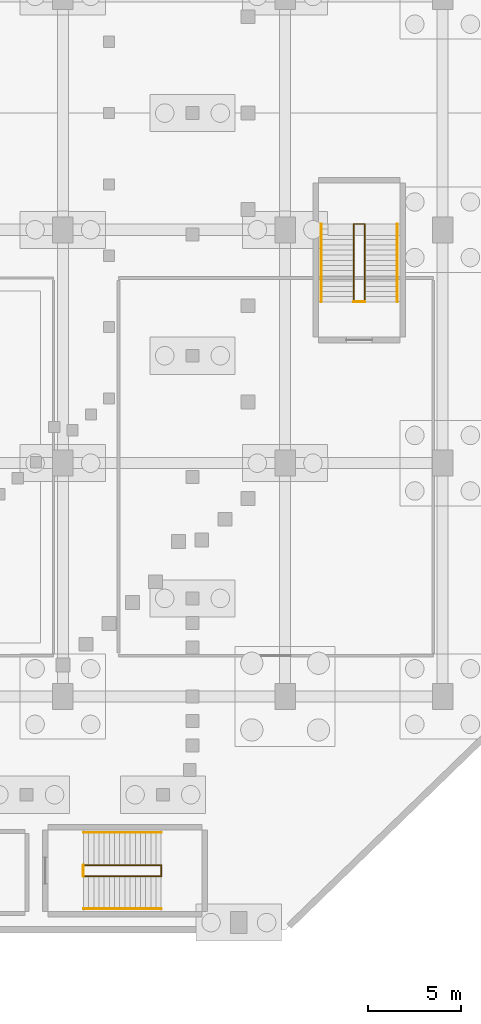
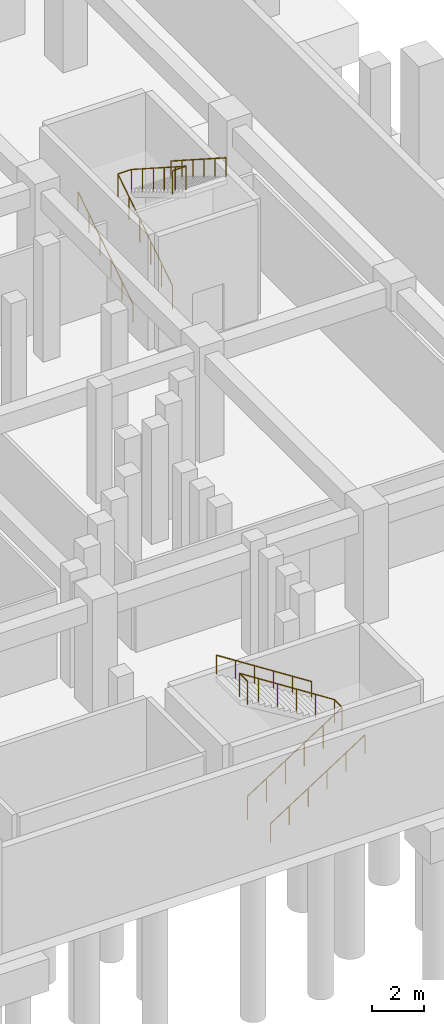
# One storey, part 22 of 27: 8 railings.
"""IFC4 building model written with IfcOpenShell, lengths in metres."""

from ifc_helpers import new_model, si_unit, derived_unit, direction, frame, origin, origin_2d, place, context, subcontext, project, spatial, circle, extrude, material, type_object, element, save


model = new_model("IFC4")

# Units and contexts
model_context = context("Model", 3, precision=1e-05, world=origin(), true_north=direction((0.0, 1.0)))
body_context = subcontext(model_context, "Body", "Model", "MODEL_VIEW")
ifc_project = project(units=[si_unit("LENGTHUNIT", "METRE"), si_unit("AREAUNIT", "SQUARE_METRE"), si_unit("VOLUMEUNIT", "CUBIC_METRE"), si_unit("PLANEANGLEUNIT", "RADIAN"), si_unit("MASSUNIT", "GRAM", prefix="KILO"), derived_unit("THERMALTRANSMITTANCEUNIT", [(si_unit("MASSUNIT", "GRAM", prefix="KILO"), 1), (si_unit("TIMEUNIT", "SECOND"), -3), (si_unit("THERMODYNAMICTEMPERATUREUNIT", "KELVIN"), -1)])], contexts=[model_context])

# Site, building, storey
site_placement = place(None, origin())
site = spatial("IfcSite", under=ifc_project, at=site_placement, CompositionType="ELEMENT")
building_placement = place(site_placement, origin())
building = spatial("IfcBuilding", under=site, at=building_placement, Name="Valcora Ridge Arena", CompositionType="ELEMENT")
storey_placement = place(building_placement, frame((0.0, 0.0, -5.39990234375)))
storey = spatial("IfcBuildingStorey", under=building, at=storey_placement, Name="B1", CompositionType="ELEMENT", Elevation=-5.39990234375)

# Railings
ifc_material = material(Name="Galvanized painted steel ASTM A500 Grade B", Category="steel")
railing_type_1 = type_object("IfcRailingType", Name="TY-RAILING-GRD-STAIR-1120", PredefinedType="GUARDRAIL", material=ifc_material)
railing_1_placement = place(storey_placement, frame((83.110107421875, 22.89990234375, 0.0)))
element("IfcRailing", 1, at=railing_1_placement, inside=storey, type_object=railing_type_1, Name="GRD-STAIR-1120 RAL-SG-0013", PredefinedType="GUARDRAIL", context=body_context, shape_type="SweptSolid", body=[
    extrude(circle(Radius=0.02392578125, at=origin_2d()), frame((0.0, 0.0, 1.09619140625), z_axis=(0.841180064094, 0.0, 0.540755119968), x_axis=(0.0, 1.0, 0.0)), (0.0, 0.0, 1.0), 4.992919921875),
    extrude(circle(Radius=0.02392578125, at=origin_2d()), frame((4.199951171875, 0.0, 3.7958984375), z_axis=(0.0, 1.0, 0.0), x_axis=(-1.0, 0.0, 0.0)), (0.0, 0.0, 1.0), 0.60009765625),
    extrude(circle(Radius=0.02392578125, at=origin_2d()), frame((4.199951171875, 0.60009765625, 3.7958984375), z_axis=(-0.841180064094, 0.0, 0.540755119968), x_axis=(0.0, -1.0, 0.0)), (0.0, 0.0, 1.0), 4.992919921875),
    extrude(circle(Radius=0.02099609375, at=origin_2d()), origin(), (0.0, 0.0, 1.0), 1.072021484375),
    extrude(circle(Radius=0.02099609375, at=origin_2d()), frame((0.840087890625, 0.0, 0.5400390625)), (0.0, 0.0, 1.0), 1.072021484375),
    extrude(circle(Radius=0.02099609375, at=origin_2d()), frame((1.679931640625, 0.0, 1.080078125)), (0.0, 0.0, 1.0), 1.072021484375),
    extrude(circle(Radius=0.02099609375, at=origin_2d()), frame((2.52001953125, 0.0, 1.619873046875)), (0.0, 0.0, 1.0), 1.072021484375),
    extrude(circle(Radius=0.02099609375, at=origin_2d()), frame((3.35986328125, 0.0, 2.159912109375)), (0.0, 0.0, 1.0), 1.072021484375),
    extrude(circle(Radius=0.02099609375, at=origin_2d()), frame((4.199951171875, 0.0, 2.699951171875)), (0.0, 0.0, 1.0), 1.072021484375),
    extrude(circle(Radius=0.02099609375, at=origin_2d()), frame((4.199951171875, 0.60009765625, 2.699951171875)), (0.0, 0.0, 1.0), 1.072021484375),
    extrude(circle(Radius=0.02099609375, at=origin_2d()), frame((3.35986328125, 0.60009765625, 3.239990234375)), (0.0, 0.0, 1.0), 1.072021484375),
    extrude(circle(Radius=0.02099609375, at=origin_2d()), frame((2.52001953125, 0.60009765625, 3.780029296875)), (0.0, 0.0, 1.0), 1.072021484375),
    extrude(circle(Radius=0.02099609375, at=origin_2d()), frame((1.679931640625, 0.60009765625, 4.31982421875)), (0.0, 0.0, 1.0), 1.072021484375),
    extrude(circle(Radius=0.02099609375, at=origin_2d()), frame((0.840087890625, 0.60009765625, 4.85986328125)), (0.0, 0.0, 1.0), 1.072021484375),
    extrude(circle(Radius=0.02099609375, at=origin_2d()), frame((0.0, 0.60009765625, 5.39990234375)), (0.0, 0.0, 1.0), 1.072021484375),
])
railing_2_placement = place(storey_placement, frame((83.110107421875, 22.89990234375, 5.39990234375)))
element("IfcRailing", 2, at=railing_2_placement, inside=storey, type_object=railing_type_1, Name="GRD-STAIR-1120 RAL-SG-0014", PredefinedType="GUARDRAIL", context=body_context, shape_type="SweptSolid", body=[
    extrude(circle(Radius=0.02392578125, at=origin_2d()), frame((0.0, 0.0, 1.09619140625), z_axis=(0.0, 1.0, 0.0), x_axis=(-1.0, 0.0, 0.0)), (0.0, 0.0, 1.0), 0.60009765625),
    extrude(circle(Radius=0.02099609375, at=origin_2d()), origin(), (0.0, 0.0, 1.0), 1.072021484375),
    extrude(circle(Radius=0.02099609375, at=origin_2d()), frame((0.0, 0.60009765625, 0.0)), (0.0, 0.0, 1.0), 1.072021484375),
])
railing_3_placement = place(storey_placement, frame((97.699951171875, 53.909912109375, 0.0)))
element("IfcRailing", 3, at=railing_3_placement, inside=storey, type_object=railing_type_1, Name="GRD-STAIR-1120 RAL-SG-0057", PredefinedType="GUARDRAIL", context=body_context, shape_type="SweptSolid", body=[
    extrude(circle(Radius=0.02392578125, at=origin_2d()), frame((0.0, 0.0, 1.09619140625), z_axis=(0.0, 0.841194361566, 0.540732878665), x_axis=(-1.0, 0.0, 0.0)), (0.0, 0.0, 1.0), 4.9931640625),
    extrude(circle(Radius=0.02392578125, at=origin_2d()), frame((0.0, 4.2001953125, 3.7958984375), z_axis=(1.0, 0.0, 0.0), x_axis=(0.0, 1.0, 0.0)), (0.0, 0.0, 1.0), 0.60009765625),
    extrude(circle(Radius=0.02392578125, at=origin_2d()), frame((0.60009765625, 4.2001953125, 3.7958984375), z_axis=(0.0, -0.841194361566, 0.540732878665), x_axis=(1.0, 0.0, 0.0)), (0.0, 0.0, 1.0), 4.9931640625),
    extrude(circle(Radius=0.02099609375, at=origin_2d()), origin(), (0.0, 0.0, 1.0), 1.072021484375),
    extrude(circle(Radius=0.02099609375, at=origin_2d()), frame((0.0, 0.840087890625, 0.5400390625)), (0.0, 0.0, 1.0), 1.072021484375),
    extrude(circle(Radius=0.02099609375, at=origin_2d()), frame((0.0, 1.68017578125, 1.080078125)), (0.0, 0.0, 1.0), 1.072021484375),
    extrude(circle(Radius=0.02099609375, at=origin_2d()), frame((0.0, 2.52001953125, 1.619873046875)), (0.0, 0.0, 1.0), 1.072021484375),
    extrude(circle(Radius=0.02099609375, at=origin_2d()), frame((0.0, 3.360107421875, 2.159912109375)), (0.0, 0.0, 1.0), 1.072021484375),
    extrude(circle(Radius=0.02099609375, at=origin_2d()), frame((0.0, 4.2001953125, 2.699951171875)), (0.0, 0.0, 1.0), 1.072021484375),
    extrude(circle(Radius=0.02099609375, at=origin_2d()), frame((0.60009765625, 4.2001953125, 2.699951171875)), (0.0, 0.0, 1.0), 1.072021484375),
    extrude(circle(Radius=0.02099609375, at=origin_2d()), frame((0.60009765625, 3.360107421875, 3.239990234375)), (0.0, 0.0, 1.0), 1.072021484375),
    extrude(circle(Radius=0.02099609375, at=origin_2d()), frame((0.60009765625, 2.52001953125, 3.780029296875)), (0.0, 0.0, 1.0), 1.072021484375),
    extrude(circle(Radius=0.02099609375, at=origin_2d()), frame((0.60009765625, 1.68017578125, 4.31982421875)), (0.0, 0.0, 1.0), 1.072021484375),
    extrude(circle(Radius=0.02099609375, at=origin_2d()), frame((0.60009765625, 0.840087890625, 4.85986328125)), (0.0, 0.0, 1.0), 1.072021484375),
    extrude(circle(Radius=0.02099609375, at=origin_2d()), frame((0.60009765625, 0.0, 5.39990234375)), (0.0, 0.0, 1.0), 1.072021484375),
])
railing_4_placement = place(storey_placement, frame((97.699951171875, 53.909912109375, 5.39990234375)))
element("IfcRailing", 4, at=railing_4_placement, inside=storey, type_object=railing_type_1, Name="GRD-STAIR-1120 RAL-SG-0058", PredefinedType="GUARDRAIL", context=body_context, shape_type="SweptSolid", body=[
    extrude(circle(Radius=0.02392578125, at=origin_2d()), frame((0.0, 0.0, 1.09619140625), z_axis=(1.0, 0.0, 0.0), x_axis=(0.0, 1.0, 0.0)), (0.0, 0.0, 1.0), 0.60009765625),
    extrude(circle(Radius=0.02099609375, at=origin_2d()), origin(), (0.0, 0.0, 1.0), 1.072021484375),
    extrude(circle(Radius=0.02099609375, at=origin_2d()), frame((0.60009765625, 0.0, 0.0)), (0.0, 0.0, 1.0), 1.072021484375),
])
railing_type_2 = type_object("IfcRailingType", Name="TY-RAILING-HR-STAIR-900", PredefinedType="HANDRAIL", material=ifc_material)
railing_5_placement = place(storey_placement, frame((83.110107421875, 21.139892578125, 0.0)))
element("IfcRailing", 5, at=railing_5_placement, inside=storey, type_object=railing_type_2, Name="HR-STAIR-900 RAL-SH-0013", PredefinedType="HANDRAIL", context=body_context, shape_type="SweptSolid", body=[
    extrude(circle(Radius=0.02392578125, at=origin_2d()), frame((0.0, 0.0, 0.8759765625), z_axis=(0.841180064094, 0.0, 0.540755119968), x_axis=(0.0, 1.0, 0.0)), (0.0, 0.0, 1.0), 4.992919921875),
    extrude(circle(Radius=0.02099609375, at=origin_2d()), origin(), (0.0, 0.0, 1.0), 0.851806640625),
    extrude(circle(Radius=0.02099609375, at=origin_2d()), frame((0.840087890625, 0.0, 0.5400390625)), (0.0, 0.0, 1.0), 0.851806640625),
    extrude(circle(Radius=0.02099609375, at=origin_2d()), frame((1.679931640625, 0.0, 1.080078125)), (0.0, 0.0, 1.0), 0.851806640625),
    extrude(circle(Radius=0.02099609375, at=origin_2d()), frame((2.52001953125, 0.0, 1.619873046875)), (0.0, 0.0, 1.0), 0.851806640625),
    extrude(circle(Radius=0.02099609375, at=origin_2d()), frame((3.35986328125, 0.0, 2.159912109375)), (0.0, 0.0, 1.0), 0.851806640625),
    extrude(circle(Radius=0.02099609375, at=origin_2d()), frame((4.199951171875, 0.0, 2.699951171875)), (0.0, 0.0, 1.0), 0.851806640625),
])
railing_6_placement = place(storey_placement, frame((87.31005859375, 25.260009765625, 2.699951171875)))
element("IfcRailing", 6, at=railing_6_placement, inside=storey, type_object=railing_type_2, Name="HR-STAIR-900 RAL-SH-0014", PredefinedType="HANDRAIL", context=body_context, shape_type="SweptSolid", body=[
    extrude(circle(Radius=0.02392578125, at=origin_2d()), frame((0.0, 0.0, 0.8759765625), z_axis=(-0.841180064094, 0.0, 0.540755119968), x_axis=(0.0, -1.0, 0.0)), (0.0, 0.0, 1.0), 4.992919921875),
    extrude(circle(Radius=0.02099609375, at=origin_2d()), origin(), (0.0, 0.0, 1.0), 0.851806640625),
    extrude(circle(Radius=0.02099609375, at=origin_2d()), frame((-0.840087890625, 0.0, 0.5400390625)), (0.0, 0.0, 1.0), 0.851806640625),
    extrude(circle(Radius=0.02099609375, at=origin_2d()), frame((-1.679931640625, 0.0, 1.080078125)), (0.0, 0.0, 1.0), 0.851806640625),
    extrude(circle(Radius=0.02099609375, at=origin_2d()), frame((-2.52001953125, 0.0, 1.619873046875)), (0.0, 0.0, 1.0), 0.851806640625),
    extrude(circle(Radius=0.02099609375, at=origin_2d()), frame((-3.35986328125, 0.0, 2.159912109375)), (0.0, 0.0, 1.0), 0.851806640625),
    extrude(circle(Radius=0.02099609375, at=origin_2d()), frame((-4.199951171875, 0.0, 2.699951171875)), (0.0, 0.0, 1.0), 0.851806640625),
])
railing_7_placement = place(storey_placement, frame((95.93994140625, 53.909912109375, 0.0)))
element("IfcRailing", 7, at=railing_7_placement, inside=storey, type_object=railing_type_2, Name="HR-STAIR-900 RAL-SH-0057", PredefinedType="HANDRAIL", context=body_context, shape_type="SweptSolid", body=[
    extrude(circle(Radius=0.02392578125, at=origin_2d()), frame((0.0, 0.0, 0.8759765625), z_axis=(0.0, 0.841194361566, 0.540732878665), x_axis=(-1.0, 0.0, 0.0)), (0.0, 0.0, 1.0), 4.9931640625),
    extrude(circle(Radius=0.02099609375, at=origin_2d()), origin(), (0.0, 0.0, 1.0), 0.851806640625),
    extrude(circle(Radius=0.02099609375, at=origin_2d()), frame((0.0, 0.840087890625, 0.5400390625)), (0.0, 0.0, 1.0), 0.851806640625),
    extrude(circle(Radius=0.02099609375, at=origin_2d()), frame((0.0, 1.68017578125, 1.080078125)), (0.0, 0.0, 1.0), 0.851806640625),
    extrude(circle(Radius=0.02099609375, at=origin_2d()), frame((0.0, 2.52001953125, 1.619873046875)), (0.0, 0.0, 1.0), 0.851806640625),
    extrude(circle(Radius=0.02099609375, at=origin_2d()), frame((0.0, 3.360107421875, 2.159912109375)), (0.0, 0.0, 1.0), 0.851806640625),
    extrude(circle(Radius=0.02099609375, at=origin_2d()), frame((0.0, 4.2001953125, 2.699951171875)), (0.0, 0.0, 1.0), 0.851806640625),
])
railing_8_placement = place(storey_placement, frame((100.06005859375, 58.110107421875, 2.699951171875)))
element("IfcRailing", 8, at=railing_8_placement, inside=storey, type_object=railing_type_2, Name="HR-STAIR-900 RAL-SH-0058", PredefinedType="HANDRAIL", context=body_context, shape_type="SweptSolid", body=[
    extrude(circle(Radius=0.02392578125, at=origin_2d()), frame((0.0, 0.0, 0.8759765625), z_axis=(0.0, -0.841194361566, 0.540732878665), x_axis=(1.0, 0.0, 0.0)), (0.0, 0.0, 1.0), 4.9931640625),
    extrude(circle(Radius=0.02099609375, at=origin_2d()), origin(), (0.0, 0.0, 1.0), 0.851806640625),
    extrude(circle(Radius=0.02099609375, at=origin_2d()), frame((0.0, -0.840087890625, 0.5400390625)), (0.0, 0.0, 1.0), 0.851806640625),
    extrude(circle(Radius=0.02099609375, at=origin_2d()), frame((0.0, -1.68017578125, 1.080078125)), (0.0, 0.0, 1.0), 0.851806640625),
    extrude(circle(Radius=0.02099609375, at=origin_2d()), frame((0.0, -2.52001953125, 1.619873046875)), (0.0, 0.0, 1.0), 0.851806640625),
    extrude(circle(Radius=0.02099609375, at=origin_2d()), frame((0.0, -3.360107421875, 2.159912109375)), (0.0, 0.0, 1.0), 0.851806640625),
    extrude(circle(Radius=0.02099609375, at=origin_2d()), frame((0.0, -4.2001953125, 2.699951171875)), (0.0, 0.0, 1.0), 0.851806640625),
])

save(model, "model.ifc")
